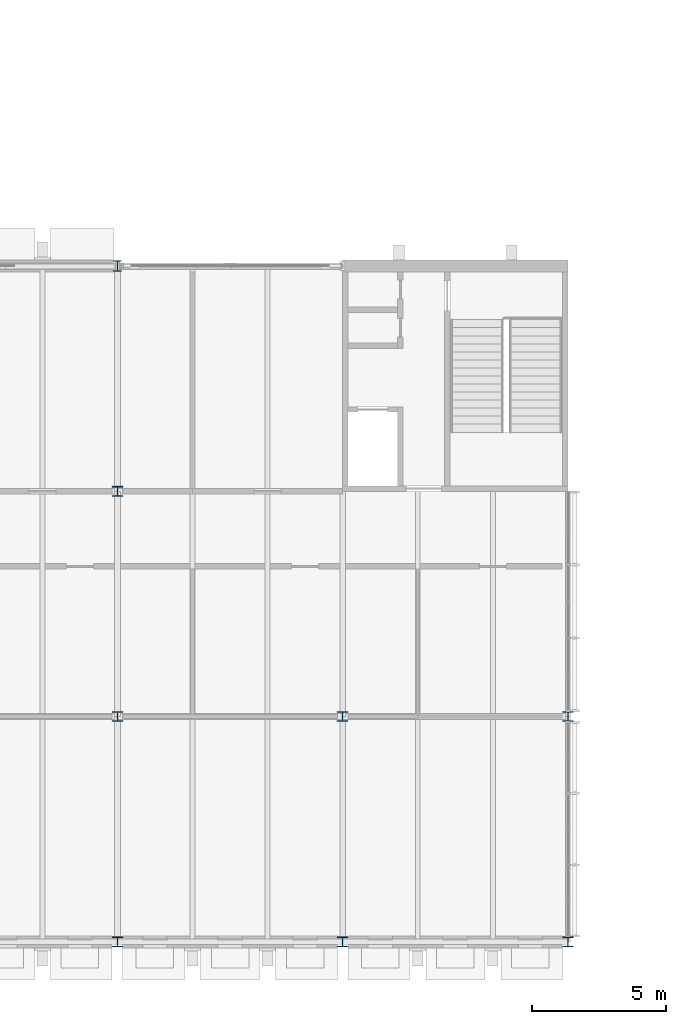
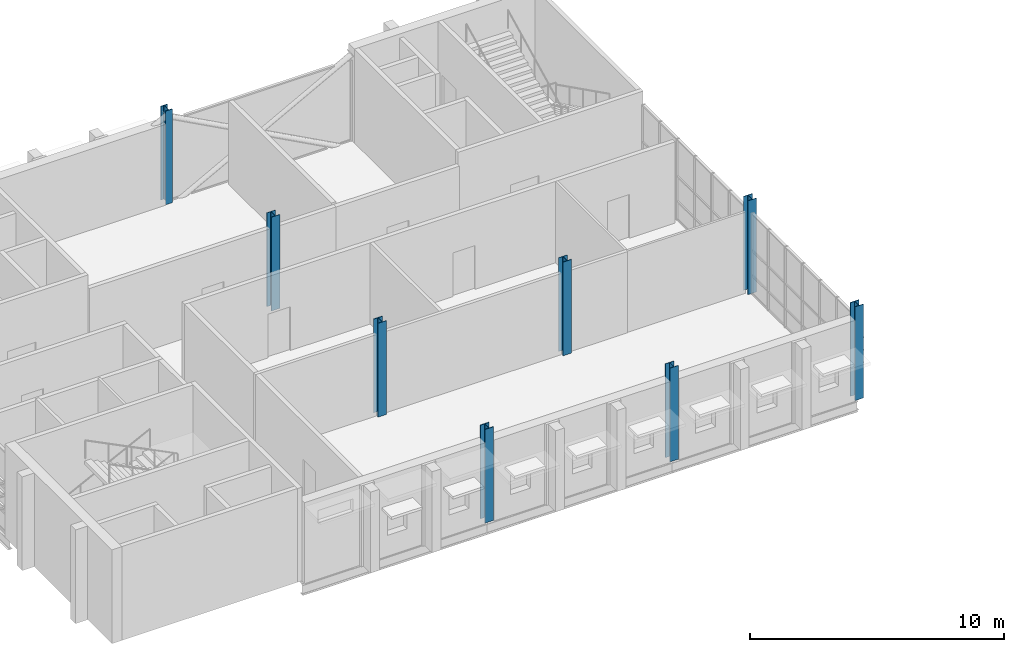
# One storey, part 1 of 22: 8 columns.
"""IFC4 building model written with IfcOpenShell, lengths in metres."""

import ifcopenshell
import ifcopenshell.guid

model = None  # the IFC model being written
_history = None  # IfcOwnerHistory: only IFC2X3 demands one
_inside = {}  # id of a spatial element -> (the spatial element, [elements in it])
_under = {}  # id of a project, library or spatial element -> (it, [spatial elements below it])
_declared = {}  # id of a project -> (the project, [libraries it declares])
_typed = {}  # id of a type object -> (the type object, [elements of that type])
_made_of = {}  # id of a material, layer set ... -> (it, [elements and type objects made of it])


def new_model(schema):
    """Start an empty IFC model of exactly this schema.

    Asked for "IFC4X3", IfcOpenShell would pick the latest addendum, in which some entities
    have other attributes; the version numbers below select the first issue.
    IFC2X3 requires an IfcOwnerHistory on every rooted entity: one is made here for all.
    """
    global model, _history
    if schema == "IFC4X3":
        model = ifcopenshell.file(schema_version=(4, 3, 0, 0))
    else:
        model = ifcopenshell.file(schema=schema)
    _inside.clear()
    _under.clear()
    _declared.clear()
    _typed.clear()
    _made_of.clear()
    _history = None
    if model.schema == "IFC2X3":
        org = make("IfcOrganization", Name="unknown")
        user = make(
            "IfcPersonAndOrganization",
            ThePerson=make("IfcPerson", FamilyName="unknown"),
            TheOrganization=org,
        )
        app = make(
            "IfcApplication",
            ApplicationDeveloper=org,
            Version="unknown",
            ApplicationFullName="unknown",
            ApplicationIdentifier="unknown",
        )
        _history = make(
            "IfcOwnerHistory",
            OwningUser=user,
            OwningApplication=app,
            ChangeAction="ADDED",
            CreationDate=0,
        )
    return model


def make(cls, **values):
    """One entity of the class cls with the attributes given. An attribute that is None is left unset."""
    return model.create_entity(
        cls, **{name: value for name, value in values.items() if value is not None}
    )


def rooted(cls, **values):
    """An entity with a GlobalId (a new one), such as an element, a storey or a relation."""
    return make(cls, GlobalId=ifcopenshell.guid.new(), OwnerHistory=_history, **values)


def si_unit(unit_type, name, prefix=None):
    """IfcSIUnit, for example si_unit("LENGTHUNIT", "METRE", prefix="MILLI")."""
    return make("IfcSIUnit", UnitType=unit_type, Prefix=prefix, Name=name)


def assignment(units):
    """IfcUnitAssignment: the units of a project."""
    return None if units is None else make("IfcUnitAssignment", Units=units)


def point(xyz):
    """IfcCartesianPoint."""
    return None if xyz is None else make("IfcCartesianPoint", Coordinates=xyz)


def direction(xyz):
    """IfcDirection."""
    return None if xyz is None else make("IfcDirection", DirectionRatios=xyz)


def frame(location, z_axis=None, x_axis=None):
    """IfcAxis2Placement3D, a coordinate frame: its origin and axes. An axis left out is left unset."""
    return make(
        "IfcAxis2Placement3D",
        Location=point(location),
        Axis=direction(z_axis),
        RefDirection=direction(x_axis),
    )


def frame_2d(location, x_axis=None):
    """IfcAxis2Placement2D, a coordinate frame in the plane: its origin and x axis."""
    return make(
        "IfcAxis2Placement2D", Location=point(location), RefDirection=direction(x_axis)
    )


def origin():
    """The frame at (0, 0, 0) with its axes left unset."""
    return frame((0.0, 0.0, 0.0))


def origin_2d():
    """The frame at (0, 0) in the plane with its x axis left unset."""
    return frame_2d((0.0, 0.0))


def place(relative_to, where):
    """IfcLocalPlacement: puts the frame where relative to a parent placement (None: the world)."""
    return make(
        "IfcLocalPlacement", PlacementRelTo=relative_to, RelativePlacement=where
    )


def context(
    kind, dimensions, precision=None, world=None, true_north=None, identifier=None
):
    """IfcGeometricRepresentationContext, for example the 3D "Model" context."""
    return make(
        "IfcGeometricRepresentationContext",
        ContextIdentifier=identifier,
        ContextType=kind,
        CoordinateSpaceDimension=dimensions,
        Precision=precision,
        WorldCoordinateSystem=world,
        TrueNorth=true_north,
    )


def subcontext(parent, identifier, kind, view, scale=None):
    """IfcGeometricRepresentationSubContext, for example "Body" below "Model"."""
    return make(
        "IfcGeometricRepresentationSubContext",
        ContextIdentifier=identifier,
        ContextType=kind,
        ParentContext=parent,
        TargetScale=scale,
        TargetView=view,
    )


def project(units=None, contexts=None):
    """IfcProject with its units and contexts."""
    return rooted(
        "IfcProject",
        Name="project",
        RepresentationContexts=contexts,
        UnitsInContext=assignment(units),
    )


def spatial(cls, under=None, at=None, **own):
    """A site, building, storey or space (cls), placed at a placement, below another one or the project."""
    s = rooted(cls, ObjectPlacement=at, **own)
    if under is not None:
        _under.setdefault(under.id(), (under, []))[1].append(s)
    return s


def profile(cls, at=None, kind="AREA", **sizes):
    """A parametric profile (cls). Its sizes go by their IFC names, for example OverallWidth=200.0."""
    return make(cls, ProfileType=kind, Position=at, **sizes)


def i_section(**sizes):
    """IfcIShapeProfileDef."""
    return profile("IfcIShapeProfileDef", **sizes)


def extrude(swept, where, along, depth):
    """IfcExtrudedAreaSolid: the profile swept, set in the frame where, extruded along a direction by depth."""
    return make(
        "IfcExtrudedAreaSolid",
        SweptArea=swept,
        Position=where,
        ExtrudedDirection=direction(along),
        Depth=depth,
    )


def shape(context_of_items, identifier, shape_type, items):
    """IfcShapeRepresentation: the items that make up one representation, for example the "Body"."""
    return make(
        "IfcShapeRepresentation",
        ContextOfItems=context_of_items,
        RepresentationIdentifier=identifier,
        RepresentationType=shape_type,
        Items=items,
    )


def material(Name=None, Category=None):
    """IfcMaterial."""
    return make("IfcMaterial", Name=Name, Category=Category)


def material_profile(
    of_material, cross_section, Name=None, Category=None, Priority=None
):
    """IfcMaterialProfile: a cross section and its material."""
    return make(
        "IfcMaterialProfile",
        Name=Name,
        Material=of_material,
        Profile=cross_section,
        Priority=Priority,
        Category=Category,
    )


def profile_set(profiles, Name=None, composite=None):
    """IfcMaterialProfileSet."""
    return make(
        "IfcMaterialProfileSet",
        Name=Name,
        MaterialProfiles=profiles,
        CompositeProfile=composite,
    )


def made_of(thing, what):
    """Note that an element or type object is made of a material, layer set ...; save() writes the relation."""
    if what is not None:
        _made_of.setdefault(what.id(), (what, []))[1].append(thing)
    return thing


def type_object(cls, material=None, **own):
    """A type object (cls), such as IfcWallType, which elements share."""
    return made_of(rooted(cls, **own), material)


def element(
    cls,
    number,
    at=None,
    inside=None,
    cuts=None,
    type_object=None,
    material=None,
    context=None,
    identifier="Body",
    shape_type=None,
    held_by="IfcProductDefinitionShape",
    body=None,
    shapes=None,
    **own,
):
    """One element of the class cls, such as IfcWall. Its Tag is "e" and its number.

    at: its placement. inside: the storey or other place that contains it. cuts: it is an
    opening in that element (IfcRelVoidsElement). A single representation is given by context,
    identifier, shape_type and body (its items); several are given by shapes. held_by: the class
    of the entity that holds the representations. save() writes the other relations.
    """
    e = rooted(cls, Tag="e%d" % number, ObjectPlacement=at, **own)
    if body is not None:
        shapes = [shape(context, identifier, shape_type, body)]
    if shapes is not None:
        e.Representation = make(held_by, Representations=shapes)
    if inside is not None:
        _inside.setdefault(inside.id(), (inside, []))[1].append(e)
    if cuts is not None:
        rooted(
            "IfcRelVoidsElement", RelatingBuildingElement=cuts, RelatedOpeningElement=e
        )
    if type_object is not None:
        _typed.setdefault(type_object.id(), (type_object, []))[1].append(e)
    return made_of(e, material)


def aggregate(whole, parts):
    """IfcRelAggregates: a whole, such as a stair, and the parts it consists of."""
    return rooted("IfcRelAggregates", RelatingObject=whole, RelatedObjects=parts)


def save(model, path):
    """Write the relations noted so far, then the file.

    IfcRelAggregates (storeys below a building ...), IfcRelContainedInSpatialStructure (elements
    in a storey), IfcRelDefinesByType, IfcRelAssociatesMaterial and IfcRelDeclares: one each for
    every whole, place, type object, material and project.
    """
    for whole, parts in _under.values():
        aggregate(whole, parts)
    for where, things in _inside.values():
        rooted(
            "IfcRelContainedInSpatialStructure",
            RelatedElements=things,
            RelatingStructure=where,
        )
    for kind, things in _typed.values():
        rooted("IfcRelDefinesByType", RelatedObjects=things, RelatingType=kind)
    for what, things in _made_of.values():
        rooted("IfcRelAssociatesMaterial", RelatedObjects=things, RelatingMaterial=what)
    for by, libraries in _declared.values():
        rooted("IfcRelDeclares", RelatingContext=by, RelatedDefinitions=libraries)
    model.write(path)


model = new_model("IFC4")

# Units and contexts
model_context = context("Model", 3, precision=1e-05, world=origin(), true_north=direction((0.0, 1.0)))
body_context = subcontext(model_context, "Body", "Model", "MODEL_VIEW")
ifc_project = project(units=[si_unit("LENGTHUNIT", "METRE"), si_unit("AREAUNIT", "SQUARE_METRE"), si_unit("VOLUMEUNIT", "CUBIC_METRE"), si_unit("PLANEANGLEUNIT", "RADIAN"), si_unit("MASSUNIT", "GRAM", prefix="KILO")], contexts=[model_context])

# Site, building, storey
site_placement = place(None, origin())
site = spatial("IfcSite", under=ifc_project, at=site_placement, CompositionType="ELEMENT")
building_placement = place(site_placement, origin())
building = spatial("IfcBuilding", under=site, at=building_placement, Name="Ardhachandra Cancer Care Centre", CompositionType="ELEMENT")
storey_placement = place(building_placement, frame((0.0, 0.0, 18.0)))
storey = spatial("IfcBuildingStorey", under=building, at=storey_placement, Name="L04", CompositionType="ELEMENT", Elevation=18.0)

# Columns
ifc_material_1 = material(Name="Steel E350 (IS 2062)", Category="steel")
ifc_material_profile_1 = material_profile(ifc_material_1, i_section(OverallWidth=0.300048828125, OverallDepth=0.39990234375, WebThickness=0.013427734375, FlangeThickness=0.02392578125, FilletRadius=0.027099609375, at=origin_2d()), Name="WPB 400x300x155.26")
ifc_profile_set_1 = profile_set([ifc_material_profile_1], Name="Steel E350 (IS 2062)")
column_type_1 = type_object("IfcColumnType", Name="Column WPB 400x300x155.26", PredefinedType="COLUMN", material=ifc_profile_set_1)
column_placement = place(storey_placement, frame((27.60009765625, 96.60009765625, 0.0), z_axis=(0.0, 0.0, 1.0), x_axis=(1.0, 0.0, 0.0)))
element("IfcColumn", 1, at=column_placement, inside=storey, type_object=column_type_1, Name="Column L3 L04", PredefinedType="COLUMN", context=body_context, shape_type="SweptSolid", body=[
    extrude(i_section(OverallWidth=0.300048828125, OverallDepth=0.39990234375, WebThickness=0.013427734375, FlangeThickness=0.02392578125, FilletRadius=0.027099609375, at=origin_2d()), origin(), (0.0, 0.0, 1.0), 4.5),
])
ifc_material_2 = material(Name="Steel E350 (IS 2062)", Category="steel")
ifc_material_profile_2 = material_profile(ifc_material_2, i_section(OverallWidth=0.39111328125, OverallDepth=0.367919921875, WebThickness=0.014892578125, FlangeThickness=0.024169921875, FilletRadius=0.027099609375, at=origin_2d()), Name="WPB 400x400x191.10")
ifc_profile_set_2 = profile_set([ifc_material_profile_2], Name="Steel E350 (IS 2062)")
column_type_2 = type_object("IfcColumnType", Name="Column WPB 400x400x191.10", PredefinedType="COLUMN", material=ifc_profile_set_2)
for number, where, z_axis, x_axis, name in (
    (2, (27.60009765625, 71.39990234375, 0.0), (0.0, 0.0, 1.0), (1.0, 0.0, 0.0), "Column H3 L04"),
    (3, (36.0, 71.39990234375, 0.0), (0.0, 0.0, 1.0), (1.0, 0.0, 0.0), "Column H4 L04"),
    (4, (44.39990234375, 71.39990234375, 0.0), (0.0, 0.0, 1.0), (1.0, 0.0, 0.0), "Column H5 L04"),
    (5, (27.60009765625, 79.800048828125, 0.0), (0.0, 0.0, 1.0), (1.0, 0.0, 0.0), "Column J3 L04"),
    (6, (36.0, 79.800048828125, 0.0), (0.0, 0.0, 1.0), (1.0, 0.0, 0.0), "Column J4 L04"),
    (7, (44.39990234375, 79.800048828125, 0.0), (0.0, 0.0, 1.0), (1.0, 0.0, 0.0), "Column J5 L04"),
    (8, (27.60009765625, 88.199951171875, 0.0), (0.0, 0.0, 1.0), (1.0, 0.0, 0.0), "Column K3 L04"),
):
    element("IfcColumn", number, at=place(storey_placement, frame(where, z_axis=z_axis, x_axis=x_axis)), inside=storey, type_object=column_type_2, Name=name, PredefinedType="COLUMN", context=body_context, shape_type="SweptSolid", body=[
        extrude(i_section(OverallWidth=0.39111328125, OverallDepth=0.367919921875, WebThickness=0.014892578125, FlangeThickness=0.024169921875, FilletRadius=0.027099609375, at=origin_2d()), origin(), (0.0, 0.0, 1.0), 4.5),
    ])

save(model, "model.ifc")
